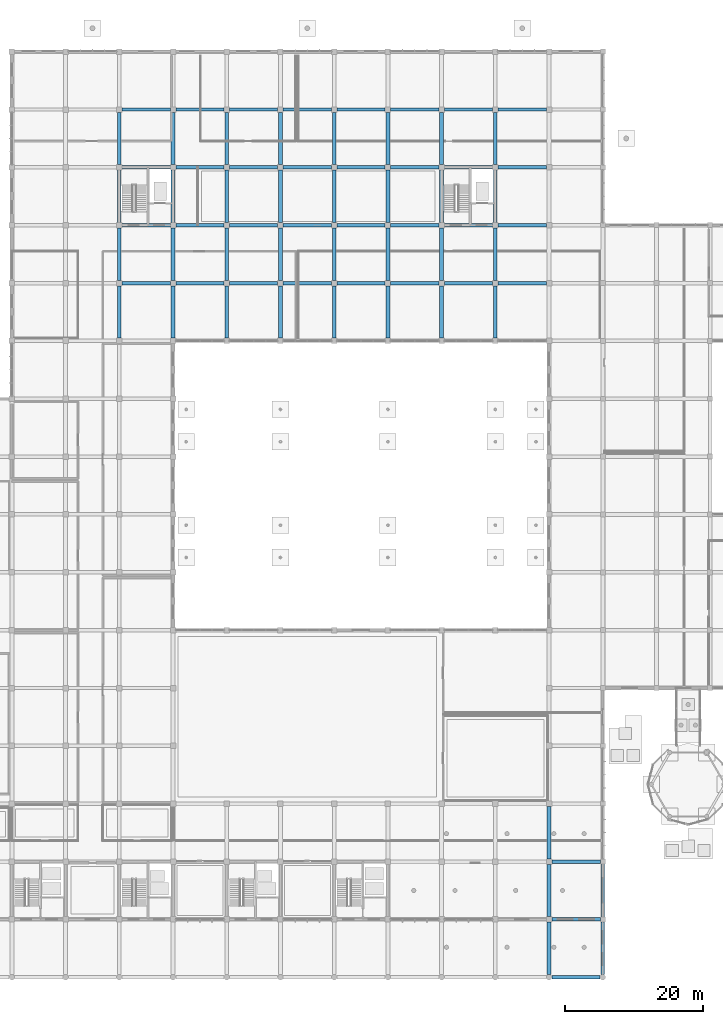
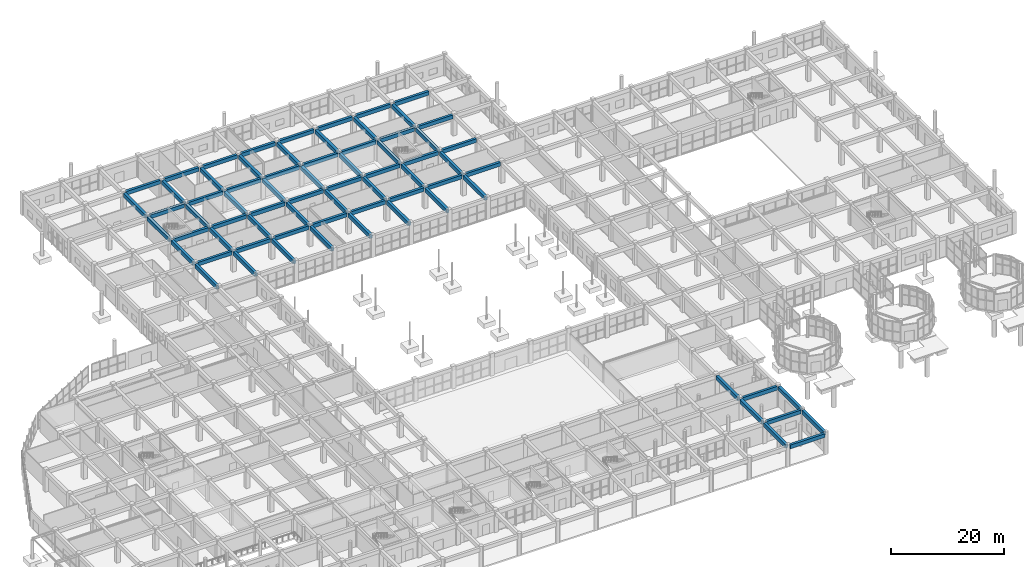
# One storey, part 45 of 139: 72 beams.
"""IFC4 building model written with IfcOpenShell, lengths in metres."""

from ifc_helpers import new_model, si_unit, direction, frame, origin, origin_2d, place, context, subcontext, project, spatial, rectangle, extrude, material, material_profile, profile_set, type_object, element, save


model = new_model("IFC4")

# Units and contexts
model_context = context("Model", 3, precision=1e-05, world=origin(), true_north=direction((0.0, 1.0)))
body_context = subcontext(model_context, "Body", "Model", "MODEL_VIEW")
ifc_project = project(units=[si_unit("LENGTHUNIT", "METRE"), si_unit("AREAUNIT", "SQUARE_METRE"), si_unit("VOLUMEUNIT", "CUBIC_METRE"), si_unit("PLANEANGLEUNIT", "RADIAN"), si_unit("MASSUNIT", "GRAM", prefix="KILO")], contexts=[model_context])

# Site, building, storey
site_placement = place(None, origin())
site = spatial("IfcSite", under=ifc_project, at=site_placement, CompositionType="ELEMENT")
building_placement = place(site_placement, origin())
building = spatial("IfcBuilding", under=site, at=building_placement, Name="Zizhar Promenade General Hospital", CompositionType="ELEMENT")
storey_placement = place(building_placement, origin())
storey = spatial("IfcBuildingStorey", under=building, at=storey_placement, Name="L00", CompositionType="ELEMENT", Elevation=0.0)

# Beams
ifc_material_1 = material(Name="Concrete C35/45", Category="concrete")
ifc_material_profile_1 = material_profile(ifc_material_1, rectangle(XDim=0.5, YDim=0.800048828125, at=origin_2d()))
ifc_profile_set_1 = profile_set([ifc_material_profile_1], Name="Concrete C35/45")
beam_type_1 = type_object("IfcBeamType", Name="BM-RC-500x800", PredefinedType="BEAM", material=ifc_profile_set_1)
for number, where, z_axis, x_axis, name in (
    (1, (62.800048828125, 100.800048828125, 4.070068359375), (1.0, 0.0, 0.0), (0.0, 1.0, 0.0), "Grid Beam X L00 (8-12)"),
    (2, (62.800048828125, 109.199951171875, 4.070068359375), (1.0, 0.0, 0.0), (0.0, 1.0, 0.0), "Grid Beam X L00 (8-13)"),
    (3, (62.800048828125, 117.60009765625, 4.070068359375), (1.0, 0.0, 0.0), (0.0, 1.0, 0.0), "Grid Beam X L00 (8-14)"),
    (4, (62.800048828125, 126.0, 4.070068359375), (1.0, 0.0, 0.0), (0.0, 1.0, 0.0), "Grid Beam X L00 (8-15)"),
    (5, (70.60009765625, 100.800048828125, 4.070068359375), (1.0, 0.0, 0.0), (0.0, 1.0, 0.0), "Grid Beam X L00 (9-12)"),
    (6, (70.60009765625, 109.199951171875, 4.070068359375), (1.0, 0.0, 0.0), (0.0, 1.0, 0.0), "Grid Beam X L00 (9-13)"),
    (7, (70.60009765625, 117.60009765625, 4.070068359375), (1.0, 0.0, 0.0), (0.0, 1.0, 0.0), "Grid Beam X L00 (9-14)"),
    (8, (70.60009765625, 126.0, 4.070068359375), (1.0, 0.0, 0.0), (0.0, 1.0, 0.0), "Grid Beam X L00 (9-15)"),
    (9, (78.39990234375, 100.800048828125, 4.070068359375), (1.0, 0.0, 0.0), (0.0, 1.0, 0.0), "Grid Beam X L00 (10-12)"),
    (10, (78.39990234375, 109.199951171875, 4.070068359375), (1.0, 0.0, 0.0), (0.0, 1.0, 0.0), "Grid Beam X L00 (10-13)"),
    (11, (78.39990234375, 117.60009765625, 4.070068359375), (1.0, 0.0, 0.0), (0.0, 1.0, 0.0), "Grid Beam X L00 (10-14)"),
    (12, (78.39990234375, 126.0, 4.070068359375), (1.0, 0.0, 0.0), (0.0, 1.0, 0.0), "Grid Beam X L00 (10-15)"),
    (13, (86.199951171875, 100.800048828125, 4.070068359375), (1.0, 0.0, 0.0), (0.0, 1.0, 0.0), "Grid Beam X L00 (11-12)"),
    (14, (86.199951171875, 109.199951171875, 4.070068359375), (1.0, 0.0, 0.0), (0.0, 1.0, 0.0), "Grid Beam X L00 (11-13)"),
    (15, (86.199951171875, 117.60009765625, 4.070068359375), (1.0, 0.0, 0.0), (0.0, 1.0, 0.0), "Grid Beam X L00 (11-14)"),
    (16, (86.199951171875, 126.0, 4.070068359375), (1.0, 0.0, 0.0), (0.0, 1.0, 0.0), "Grid Beam X L00 (11-15)"),
    (17, (94.0, 100.800048828125, 4.070068359375), (1.0, 0.0, 0.0), (0.0, 1.0, 0.0), "Grid Beam X L00 (12-12)"),
    (18, (94.0, 109.199951171875, 4.070068359375), (1.0, 0.0, 0.0), (0.0, 1.0, 0.0), "Grid Beam X L00 (12-13)"),
    (19, (94.0, 117.60009765625, 4.070068359375), (1.0, 0.0, 0.0), (0.0, 1.0, 0.0), "Grid Beam X L00 (12-14)"),
    (20, (94.0, 126.0, 4.070068359375), (1.0, 0.0, 0.0), (0.0, 1.0, 0.0), "Grid Beam X L00 (12-15)"),
    (21, (101.800048828125, 100.800048828125, 4.070068359375), (1.0, 0.0, 0.0), (0.0, 1.0, 0.0), "Grid Beam X L00 (13-12)"),
    (22, (101.800048828125, 109.199951171875, 4.070068359375), (1.0, 0.0, 0.0), (0.0, 1.0, 0.0), "Grid Beam X L00 (13-13)"),
    (23, (101.800048828125, 117.60009765625, 4.070068359375), (1.0, 0.0, 0.0), (0.0, 1.0, 0.0), "Grid Beam X L00 (13-14)"),
    (24, (101.800048828125, 126.0, 4.070068359375), (1.0, 0.0, 0.0), (0.0, 1.0, 0.0), "Grid Beam X L00 (13-15)"),
    (25, (109.60009765625, 100.800048828125, 4.070068359375), (1.0, 0.0, 0.0), (0.0, 1.0, 0.0), "Grid Beam X L00 (14-12)"),
    (26, (109.60009765625, 109.199951171875, 4.070068359375), (1.0, 0.0, 0.0), (0.0, 1.0, 0.0), "Grid Beam X L00 (14-13)"),
    (27, (109.60009765625, 117.60009765625, 4.070068359375), (1.0, 0.0, 0.0), (0.0, 1.0, 0.0), "Grid Beam X L00 (14-14)"),
    (28, (109.60009765625, 126.0, 4.070068359375), (1.0, 0.0, 0.0), (0.0, 1.0, 0.0), "Grid Beam X L00 (14-15)"),
    (29, (117.39990234375, 100.800048828125, 4.070068359375), (1.0, 0.0, 0.0), (0.0, 1.0, 0.0), "Grid Beam X L00 (15-12)"),
    (30, (117.39990234375, 109.199951171875, 4.070068359375), (1.0, 0.0, 0.0), (0.0, 1.0, 0.0), "Grid Beam X L00 (15-13)"),
    (31, (117.39990234375, 117.60009765625, 4.070068359375), (1.0, 0.0, 0.0), (0.0, 1.0, 0.0), "Grid Beam X L00 (15-14)"),
    (32, (117.39990234375, 126.0, 4.070068359375), (1.0, 0.0, 0.0), (0.0, 1.0, 0.0), "Grid Beam X L00 (15-15)"),
    (33, (125.199951171875, 0.0, 4.070068359375), (1.0, 0.0, 0.0), (0.0, 1.0, 0.0), "Grid Beam X L00 (16-0)"),
):
    element("IfcBeam", number, at=place(storey_placement, frame(where, z_axis=z_axis, x_axis=x_axis)), inside=storey, type_object=beam_type_1, Name=name, PredefinedType="BEAM", context=body_context, shape_type="SweptSolid", body=[
        extrude(rectangle(XDim=0.5, YDim=0.800048828125, at=origin_2d()), origin(), (0.0, 0.0, 1.0), 7.0),
    ])
for number, where, z_axis, x_axis, name in (
    (34, (125.199951171875, 8.39990234375, 4.070068359375), (1.0, 0.0, 0.0), (0.0, 1.0, 0.0), "Grid Beam X L00 (16-1)"),
    (35, (125.199951171875, 16.800048828125, 4.070068359375), (1.0, 0.0, 0.0), (0.0, 1.0, 0.0), "Grid Beam X L00 (16-2)"),
):
    element("IfcBeam", number, at=place(storey_placement, frame(where, z_axis=z_axis, x_axis=x_axis)), inside=storey, type_object=beam_type_1, Name=name, PredefinedType="BEAM", context=body_context, shape_type="SweptSolid", body=[
        extrude(rectangle(XDim=0.5, YDim=0.800048828125, at=origin_2d()), origin(), (0.0, 0.0, 1.0), 7.0400390625),
    ])
ifc_material_2 = material(Name="Concrete C35/45", Category="concrete")
ifc_material_profile_2 = material_profile(ifc_material_2, rectangle(XDim=0.550048828125, YDim=0.85009765625, at=origin_2d()))
ifc_profile_set_2 = profile_set([ifc_material_profile_2], Name="Concrete C35/45")
beam_type_2 = type_object("IfcBeamType", Name="BM-RC-550x850", PredefinedType="BEAM", material=ifc_profile_set_2)
beam_1_placement = place(storey_placement, frame((62.39990234375, 92.800048828125, 4.044921875), z_axis=(0.0, 1.0, 0.0), x_axis=(-1.0, 0.0, 0.0)))
element("IfcBeam", 36, at=beam_1_placement, inside=storey, type_object=beam_type_2, Name="Grid Beam Y L00 (8-11)", PredefinedType="BEAM", context=body_context, shape_type="SweptSolid", body=[
    extrude(rectangle(XDim=0.550048828125, YDim=0.85009765625, at=origin_2d()), origin(), (0.0, 0.0, 1.0), 7.599853515625),
])
beam_2_placement = place(storey_placement, frame((62.39990234375, 101.199951171875, 4.044921875), z_axis=(0.0, 1.0, 0.0), x_axis=(-1.0, 0.0, 0.0)))
element("IfcBeam", 37, at=beam_2_placement, inside=storey, type_object=beam_type_2, Name="Grid Beam Y L00 (8-12)", PredefinedType="BEAM", context=body_context, shape_type="SweptSolid", body=[
    extrude(rectangle(XDim=0.550048828125, YDim=0.85009765625, at=origin_2d()), origin(), (0.0, 0.0, 1.0), 7.60009765625),
])
beam_3_placement = place(storey_placement, frame((62.39990234375, 109.60009765625, 4.044921875), z_axis=(0.0, 1.0, 0.0), x_axis=(-1.0, 0.0, 0.0)))
element("IfcBeam", 38, at=beam_3_placement, inside=storey, type_object=beam_type_2, Name="Grid Beam Y L00 (8-13)", PredefinedType="BEAM", context=body_context, shape_type="SweptSolid", body=[
    extrude(rectangle(XDim=0.550048828125, YDim=0.85009765625, at=origin_2d()), origin(), (0.0, 0.0, 1.0), 7.599853515625),
])
beam_4_placement = place(storey_placement, frame((62.39990234375, 118.0, 4.044921875), z_axis=(0.0, 1.0, 0.0), x_axis=(-1.0, 0.0, 0.0)))
element("IfcBeam", 39, at=beam_4_placement, inside=storey, type_object=beam_type_2, Name="Grid Beam Y L00 (8-14)", PredefinedType="BEAM", context=body_context, shape_type="SweptSolid", body=[
    extrude(rectangle(XDim=0.550048828125, YDim=0.85009765625, at=origin_2d()), origin(), (0.0, 0.0, 1.0), 7.60009765625),
])
beam_5_placement = place(storey_placement, frame((70.199951171875, 92.800048828125, 4.044921875), z_axis=(0.0, 1.0, 0.0), x_axis=(-1.0, 0.0, 0.0)))
element("IfcBeam", 40, at=beam_5_placement, inside=storey, type_object=beam_type_2, Name="Grid Beam Y L00 (9-11)", PredefinedType="BEAM", context=body_context, shape_type="SweptSolid", body=[
    extrude(rectangle(XDim=0.550048828125, YDim=0.85009765625, at=origin_2d()), origin(), (0.0, 0.0, 1.0), 7.599853515625),
])
beam_6_placement = place(storey_placement, frame((70.199951171875, 101.199951171875, 4.044921875), z_axis=(0.0, 1.0, 0.0), x_axis=(-1.0, 0.0, 0.0)))
element("IfcBeam", 41, at=beam_6_placement, inside=storey, type_object=beam_type_2, Name="Grid Beam Y L00 (9-12)", PredefinedType="BEAM", context=body_context, shape_type="SweptSolid", body=[
    extrude(rectangle(XDim=0.550048828125, YDim=0.85009765625, at=origin_2d()), origin(), (0.0, 0.0, 1.0), 7.60009765625),
])
beam_7_placement = place(storey_placement, frame((70.199951171875, 109.60009765625, 4.044921875), z_axis=(0.0, 1.0, 0.0), x_axis=(-1.0, 0.0, 0.0)))
element("IfcBeam", 42, at=beam_7_placement, inside=storey, type_object=beam_type_2, Name="Grid Beam Y L00 (9-13)", PredefinedType="BEAM", context=body_context, shape_type="SweptSolid", body=[
    extrude(rectangle(XDim=0.550048828125, YDim=0.85009765625, at=origin_2d()), origin(), (0.0, 0.0, 1.0), 7.599853515625),
])
beam_8_placement = place(storey_placement, frame((70.199951171875, 118.0, 4.044921875), z_axis=(0.0, 1.0, 0.0), x_axis=(-1.0, 0.0, 0.0)))
element("IfcBeam", 43, at=beam_8_placement, inside=storey, type_object=beam_type_2, Name="Grid Beam Y L00 (9-14)", PredefinedType="BEAM", context=body_context, shape_type="SweptSolid", body=[
    extrude(rectangle(XDim=0.550048828125, YDim=0.85009765625, at=origin_2d()), origin(), (0.0, 0.0, 1.0), 7.60009765625),
])
beam_9_placement = place(storey_placement, frame((78.0, 92.800048828125, 4.044921875), z_axis=(0.0, 1.0, 0.0), x_axis=(-1.0, 0.0, 0.0)))
element("IfcBeam", 44, at=beam_9_placement, inside=storey, type_object=beam_type_2, Name="Grid Beam Y L00 (10-11)", PredefinedType="BEAM", context=body_context, shape_type="SweptSolid", body=[
    extrude(rectangle(XDim=0.550048828125, YDim=0.85009765625, at=origin_2d()), origin(), (0.0, 0.0, 1.0), 7.599853515625),
])
beam_10_placement = place(storey_placement, frame((78.0, 101.199951171875, 4.044921875), z_axis=(0.0, 1.0, 0.0), x_axis=(-1.0, 0.0, 0.0)))
element("IfcBeam", 45, at=beam_10_placement, inside=storey, type_object=beam_type_2, Name="Grid Beam Y L00 (10-12)", PredefinedType="BEAM", context=body_context, shape_type="SweptSolid", body=[
    extrude(rectangle(XDim=0.550048828125, YDim=0.85009765625, at=origin_2d()), origin(), (0.0, 0.0, 1.0), 7.60009765625),
])
beam_11_placement = place(storey_placement, frame((78.0, 109.60009765625, 4.044921875), z_axis=(0.0, 1.0, 0.0), x_axis=(-1.0, 0.0, 0.0)))
element("IfcBeam", 46, at=beam_11_placement, inside=storey, type_object=beam_type_2, Name="Grid Beam Y L00 (10-13)", PredefinedType="BEAM", context=body_context, shape_type="SweptSolid", body=[
    extrude(rectangle(XDim=0.550048828125, YDim=0.85009765625, at=origin_2d()), origin(), (0.0, 0.0, 1.0), 7.599853515625),
])
beam_12_placement = place(storey_placement, frame((78.0, 118.0, 4.044921875), z_axis=(0.0, 1.0, 0.0), x_axis=(-1.0, 0.0, 0.0)))
element("IfcBeam", 47, at=beam_12_placement, inside=storey, type_object=beam_type_2, Name="Grid Beam Y L00 (10-14)", PredefinedType="BEAM", context=body_context, shape_type="SweptSolid", body=[
    extrude(rectangle(XDim=0.550048828125, YDim=0.85009765625, at=origin_2d()), origin(), (0.0, 0.0, 1.0), 7.60009765625),
])
beam_13_placement = place(storey_placement, frame((85.800048828125, 92.800048828125, 4.044921875), z_axis=(0.0, 1.0, 0.0), x_axis=(-1.0, 0.0, 0.0)))
element("IfcBeam", 48, at=beam_13_placement, inside=storey, type_object=beam_type_2, Name="Grid Beam Y L00 (11-11)", PredefinedType="BEAM", context=body_context, shape_type="SweptSolid", body=[
    extrude(rectangle(XDim=0.550048828125, YDim=0.85009765625, at=origin_2d()), origin(), (0.0, 0.0, 1.0), 7.599853515625),
])
beam_14_placement = place(storey_placement, frame((85.800048828125, 101.199951171875, 4.044921875), z_axis=(0.0, 1.0, 0.0), x_axis=(-1.0, 0.0, 0.0)))
element("IfcBeam", 49, at=beam_14_placement, inside=storey, type_object=beam_type_2, Name="Grid Beam Y L00 (11-12)", PredefinedType="BEAM", context=body_context, shape_type="SweptSolid", body=[
    extrude(rectangle(XDim=0.550048828125, YDim=0.85009765625, at=origin_2d()), origin(), (0.0, 0.0, 1.0), 7.60009765625),
])
beam_15_placement = place(storey_placement, frame((85.800048828125, 109.60009765625, 4.044921875), z_axis=(0.0, 1.0, 0.0), x_axis=(-1.0, 0.0, 0.0)))
element("IfcBeam", 50, at=beam_15_placement, inside=storey, type_object=beam_type_2, Name="Grid Beam Y L00 (11-13)", PredefinedType="BEAM", context=body_context, shape_type="SweptSolid", body=[
    extrude(rectangle(XDim=0.550048828125, YDim=0.85009765625, at=origin_2d()), origin(), (0.0, 0.0, 1.0), 7.599853515625),
])
beam_16_placement = place(storey_placement, frame((85.800048828125, 118.0, 4.044921875), z_axis=(0.0, 1.0, 0.0), x_axis=(-1.0, 0.0, 0.0)))
element("IfcBeam", 51, at=beam_16_placement, inside=storey, type_object=beam_type_2, Name="Grid Beam Y L00 (11-14)", PredefinedType="BEAM", context=body_context, shape_type="SweptSolid", body=[
    extrude(rectangle(XDim=0.550048828125, YDim=0.85009765625, at=origin_2d()), origin(), (0.0, 0.0, 1.0), 7.60009765625),
])
beam_17_placement = place(storey_placement, frame((93.60009765625, 92.800048828125, 4.044921875), z_axis=(0.0, 1.0, 0.0), x_axis=(-1.0, 0.0, 0.0)))
element("IfcBeam", 52, at=beam_17_placement, inside=storey, type_object=beam_type_2, Name="Grid Beam Y L00 (12-11)", PredefinedType="BEAM", context=body_context, shape_type="SweptSolid", body=[
    extrude(rectangle(XDim=0.550048828125, YDim=0.85009765625, at=origin_2d()), origin(), (0.0, 0.0, 1.0), 7.599853515625),
])
beam_18_placement = place(storey_placement, frame((93.60009765625, 101.199951171875, 4.044921875), z_axis=(0.0, 1.0, 0.0), x_axis=(-1.0, 0.0, 0.0)))
element("IfcBeam", 53, at=beam_18_placement, inside=storey, type_object=beam_type_2, Name="Grid Beam Y L00 (12-12)", PredefinedType="BEAM", context=body_context, shape_type="SweptSolid", body=[
    extrude(rectangle(XDim=0.550048828125, YDim=0.85009765625, at=origin_2d()), origin(), (0.0, 0.0, 1.0), 7.60009765625),
])
beam_19_placement = place(storey_placement, frame((93.60009765625, 109.60009765625, 4.044921875), z_axis=(0.0, 1.0, 0.0), x_axis=(-1.0, 0.0, 0.0)))
element("IfcBeam", 54, at=beam_19_placement, inside=storey, type_object=beam_type_2, Name="Grid Beam Y L00 (12-13)", PredefinedType="BEAM", context=body_context, shape_type="SweptSolid", body=[
    extrude(rectangle(XDim=0.550048828125, YDim=0.85009765625, at=origin_2d()), origin(), (0.0, 0.0, 1.0), 7.599853515625),
])
beam_20_placement = place(storey_placement, frame((93.60009765625, 118.0, 4.044921875), z_axis=(0.0, 1.0, 0.0), x_axis=(-1.0, 0.0, 0.0)))
element("IfcBeam", 55, at=beam_20_placement, inside=storey, type_object=beam_type_2, Name="Grid Beam Y L00 (12-14)", PredefinedType="BEAM", context=body_context, shape_type="SweptSolid", body=[
    extrude(rectangle(XDim=0.550048828125, YDim=0.85009765625, at=origin_2d()), origin(), (0.0, 0.0, 1.0), 7.60009765625),
])
beam_21_placement = place(storey_placement, frame((101.39990234375, 92.800048828125, 4.044921875), z_axis=(0.0, 1.0, 0.0), x_axis=(-1.0, 0.0, 0.0)))
element("IfcBeam", 56, at=beam_21_placement, inside=storey, type_object=beam_type_2, Name="Grid Beam Y L00 (13-11)", PredefinedType="BEAM", context=body_context, shape_type="SweptSolid", body=[
    extrude(rectangle(XDim=0.550048828125, YDim=0.85009765625, at=origin_2d()), origin(), (0.0, 0.0, 1.0), 7.599853515625),
])
beam_22_placement = place(storey_placement, frame((101.39990234375, 101.199951171875, 4.044921875), z_axis=(0.0, 1.0, 0.0), x_axis=(-1.0, 0.0, 0.0)))
element("IfcBeam", 57, at=beam_22_placement, inside=storey, type_object=beam_type_2, Name="Grid Beam Y L00 (13-12)", PredefinedType="BEAM", context=body_context, shape_type="SweptSolid", body=[
    extrude(rectangle(XDim=0.550048828125, YDim=0.85009765625, at=origin_2d()), origin(), (0.0, 0.0, 1.0), 7.60009765625),
])
beam_23_placement = place(storey_placement, frame((101.39990234375, 109.60009765625, 4.044921875), z_axis=(0.0, 1.0, 0.0), x_axis=(-1.0, 0.0, 0.0)))
element("IfcBeam", 58, at=beam_23_placement, inside=storey, type_object=beam_type_2, Name="Grid Beam Y L00 (13-13)", PredefinedType="BEAM", context=body_context, shape_type="SweptSolid", body=[
    extrude(rectangle(XDim=0.550048828125, YDim=0.85009765625, at=origin_2d()), origin(), (0.0, 0.0, 1.0), 7.599853515625),
])
beam_24_placement = place(storey_placement, frame((101.39990234375, 118.0, 4.044921875), z_axis=(0.0, 1.0, 0.0), x_axis=(-1.0, 0.0, 0.0)))
element("IfcBeam", 59, at=beam_24_placement, inside=storey, type_object=beam_type_2, Name="Grid Beam Y L00 (13-14)", PredefinedType="BEAM", context=body_context, shape_type="SweptSolid", body=[
    extrude(rectangle(XDim=0.550048828125, YDim=0.85009765625, at=origin_2d()), origin(), (0.0, 0.0, 1.0), 7.60009765625),
])
beam_25_placement = place(storey_placement, frame((109.199951171875, 92.800048828125, 4.044921875), z_axis=(0.0, 1.0, 0.0), x_axis=(-1.0, 0.0, 0.0)))
element("IfcBeam", 60, at=beam_25_placement, inside=storey, type_object=beam_type_2, Name="Grid Beam Y L00 (14-11)", PredefinedType="BEAM", context=body_context, shape_type="SweptSolid", body=[
    extrude(rectangle(XDim=0.550048828125, YDim=0.85009765625, at=origin_2d()), origin(), (0.0, 0.0, 1.0), 7.599853515625),
])
beam_26_placement = place(storey_placement, frame((109.199951171875, 101.199951171875, 4.044921875), z_axis=(0.0, 1.0, 0.0), x_axis=(-1.0, 0.0, 0.0)))
element("IfcBeam", 61, at=beam_26_placement, inside=storey, type_object=beam_type_2, Name="Grid Beam Y L00 (14-12)", PredefinedType="BEAM", context=body_context, shape_type="SweptSolid", body=[
    extrude(rectangle(XDim=0.550048828125, YDim=0.85009765625, at=origin_2d()), origin(), (0.0, 0.0, 1.0), 7.60009765625),
])
beam_27_placement = place(storey_placement, frame((109.199951171875, 109.60009765625, 4.044921875), z_axis=(0.0, 1.0, 0.0), x_axis=(-1.0, 0.0, 0.0)))
element("IfcBeam", 62, at=beam_27_placement, inside=storey, type_object=beam_type_2, Name="Grid Beam Y L00 (14-13)", PredefinedType="BEAM", context=body_context, shape_type="SweptSolid", body=[
    extrude(rectangle(XDim=0.550048828125, YDim=0.85009765625, at=origin_2d()), origin(), (0.0, 0.0, 1.0), 7.599853515625),
])
beam_28_placement = place(storey_placement, frame((109.199951171875, 118.0, 4.044921875), z_axis=(0.0, 1.0, 0.0), x_axis=(-1.0, 0.0, 0.0)))
element("IfcBeam", 63, at=beam_28_placement, inside=storey, type_object=beam_type_2, Name="Grid Beam Y L00 (14-14)", PredefinedType="BEAM", context=body_context, shape_type="SweptSolid", body=[
    extrude(rectangle(XDim=0.550048828125, YDim=0.85009765625, at=origin_2d()), origin(), (0.0, 0.0, 1.0), 7.60009765625),
])
beam_29_placement = place(storey_placement, frame((117.0, 92.800048828125, 4.044921875), z_axis=(0.0, 1.0, 0.0), x_axis=(-1.0, 0.0, 0.0)))
element("IfcBeam", 64, at=beam_29_placement, inside=storey, type_object=beam_type_2, Name="Grid Beam Y L00 (15-11)", PredefinedType="BEAM", context=body_context, shape_type="SweptSolid", body=[
    extrude(rectangle(XDim=0.550048828125, YDim=0.85009765625, at=origin_2d()), origin(), (0.0, 0.0, 1.0), 7.599853515625),
])
beam_30_placement = place(storey_placement, frame((117.0, 101.199951171875, 4.044921875), z_axis=(0.0, 1.0, 0.0), x_axis=(-1.0, 0.0, 0.0)))
element("IfcBeam", 65, at=beam_30_placement, inside=storey, type_object=beam_type_2, Name="Grid Beam Y L00 (15-12)", PredefinedType="BEAM", context=body_context, shape_type="SweptSolid", body=[
    extrude(rectangle(XDim=0.550048828125, YDim=0.85009765625, at=origin_2d()), origin(), (0.0, 0.0, 1.0), 7.60009765625),
])
beam_31_placement = place(storey_placement, frame((117.0, 109.60009765625, 4.044921875), z_axis=(0.0, 1.0, 0.0), x_axis=(-1.0, 0.0, 0.0)))
element("IfcBeam", 66, at=beam_31_placement, inside=storey, type_object=beam_type_2, Name="Grid Beam Y L00 (15-13)", PredefinedType="BEAM", context=body_context, shape_type="SweptSolid", body=[
    extrude(rectangle(XDim=0.550048828125, YDim=0.85009765625, at=origin_2d()), origin(), (0.0, 0.0, 1.0), 7.599853515625),
])
for number, where, z_axis, x_axis, name in (
    (67, (117.0, 118.0, 4.044921875), (0.0, 1.0, 0.0), (-1.0, 0.0, 0.0), "Grid Beam Y L00 (15-14)"),
    (68, (124.800048828125, 0.39990234375, 4.044921875), (0.0, 1.0, 0.0), (-1.0, 0.0, 0.0), "Grid Beam Y L00 (16-0)"),
):
    element("IfcBeam", number, at=place(storey_placement, frame(where, z_axis=z_axis, x_axis=x_axis)), inside=storey, type_object=beam_type_2, Name=name, PredefinedType="BEAM", context=body_context, shape_type="SweptSolid", body=[
        extrude(rectangle(XDim=0.550048828125, YDim=0.85009765625, at=origin_2d()), origin(), (0.0, 0.0, 1.0), 7.60009765625),
    ])
beam_32_placement = place(storey_placement, frame((124.800048828125, 8.800048828125, 4.044921875), z_axis=(0.0, 1.0, 0.0), x_axis=(-1.0, 0.0, 0.0)))
element("IfcBeam", 69, at=beam_32_placement, inside=storey, type_object=beam_type_2, Name="Grid Beam Y L00 (16-1)", PredefinedType="BEAM", context=body_context, shape_type="SweptSolid", body=[
    extrude(rectangle(XDim=0.550048828125, YDim=0.85009765625, at=origin_2d()), origin(), (0.0, 0.0, 1.0), 7.599853515625),
])
beam_33_placement = place(storey_placement, frame((124.800048828125, 17.199951171875, 4.044921875), z_axis=(0.0, 1.0, 0.0), x_axis=(-1.0, 0.0, 0.0)))
element("IfcBeam", 70, at=beam_33_placement, inside=storey, type_object=beam_type_2, Name="Grid Beam Y L00 (16-2)", PredefinedType="BEAM", context=body_context, shape_type="SweptSolid", body=[
    extrude(rectangle(XDim=0.550048828125, YDim=0.85009765625, at=origin_2d()), origin(), (0.0, 0.0, 1.0), 7.60009765625),
])
beam_34_placement = place(storey_placement, frame((132.60009765625, 0.39990234375, 4.044921875), z_axis=(0.0, 1.0, 0.0), x_axis=(-1.0, 0.0, 0.0)))
element("IfcBeam", 71, at=beam_34_placement, inside=storey, type_object=beam_type_2, Name="Grid Beam Y L00 (17-0)", PredefinedType="BEAM", context=body_context, shape_type="SweptSolid", body=[
    extrude(rectangle(XDim=0.550048828125, YDim=0.85009765625, at=origin_2d()), origin(), (0.0, 0.0, 1.0), 7.64013671875),
])
beam_35_placement = place(storey_placement, frame((132.60009765625, 8.760009765625, 4.044921875), z_axis=(0.0, 1.0, 0.0), x_axis=(-1.0, 0.0, 0.0)))
element("IfcBeam", 72, at=beam_35_placement, inside=storey, type_object=beam_type_2, Name="Grid Beam Y L00 (17-1)", PredefinedType="BEAM", context=body_context, shape_type="SweptSolid", body=[
    extrude(rectangle(XDim=0.550048828125, YDim=0.85009765625, at=origin_2d()), origin(), (0.0, 0.0, 1.0), 7.679931640625),
])

save(model, "model.ifc")
